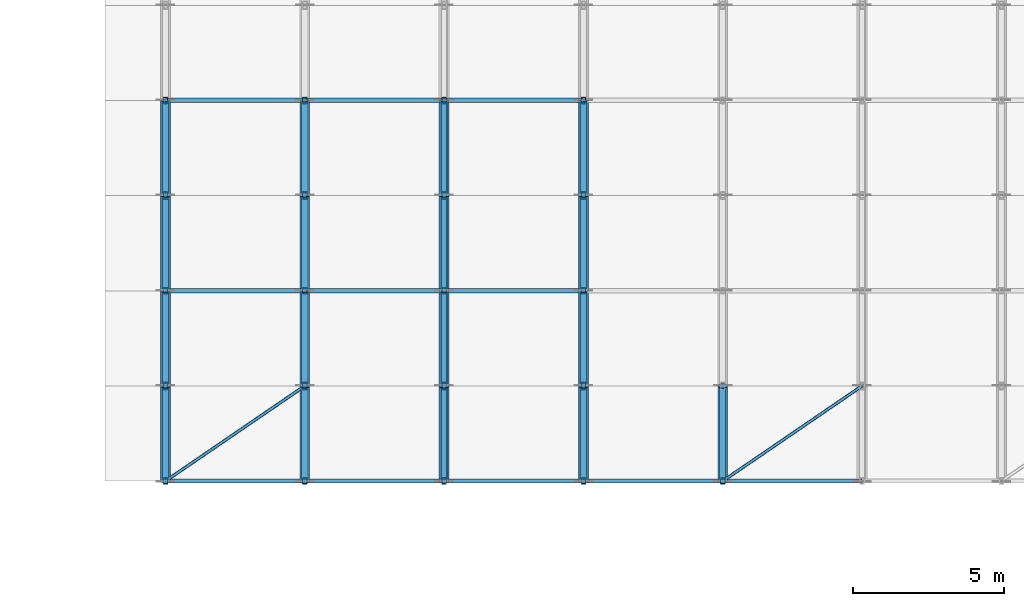
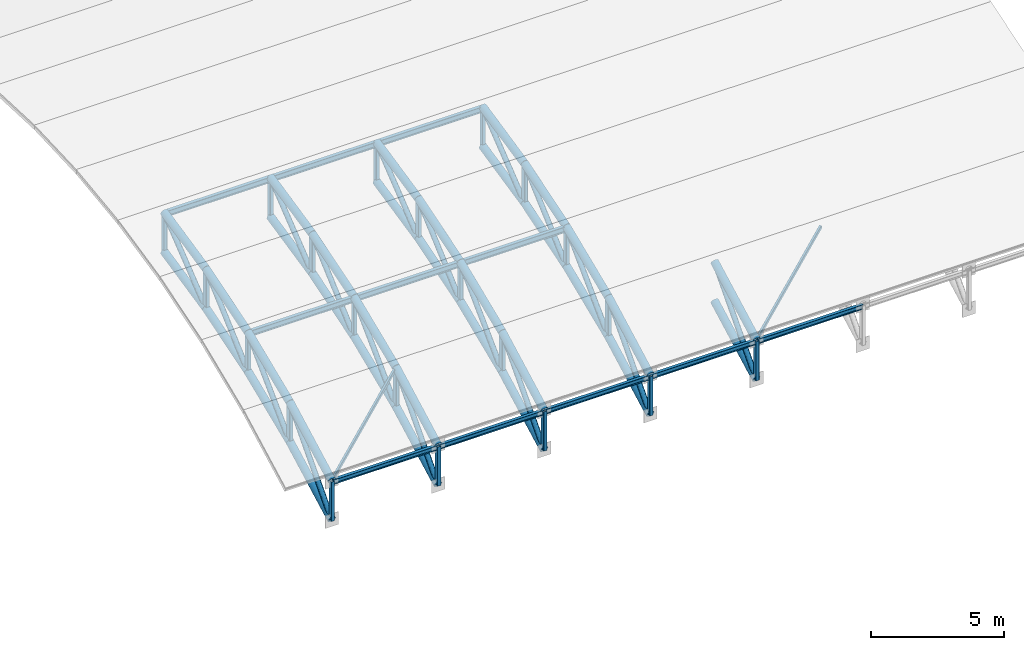
# One storey, part 39 of 98: 85 members.
"""IFC4 building model written with IfcOpenShell, lengths in metres."""

from ifc_helpers import new_model, si_unit, direction, frame, origin, origin_2d, place, context, subcontext, project, spatial, hollow_rectangle, hollow_circle, i_section, extrude, material, material_profile, profile_set, type_object, element, save


model = new_model("IFC4")

# Units and contexts
model_context = context("Model", 3, precision=1e-05, world=origin(), true_north=direction((0.0, 1.0)))
body_context = subcontext(model_context, "Body", "Model", "MODEL_VIEW")
ifc_project = project(units=[si_unit("LENGTHUNIT", "METRE"), si_unit("AREAUNIT", "SQUARE_METRE"), si_unit("VOLUMEUNIT", "CUBIC_METRE"), si_unit("PLANEANGLEUNIT", "RADIAN"), si_unit("MASSUNIT", "GRAM", prefix="KILO")], contexts=[model_context])

# Site, building, storey
site_placement = place(None, origin())
site = spatial("IfcSite", under=ifc_project, at=site_placement, CompositionType="ELEMENT")
building_placement = place(site_placement, origin())
building = spatial("IfcBuilding", under=site, at=building_placement, Name="Tlacozan Convention Centre", CompositionType="ELEMENT")
storey_placement = place(building_placement, frame((0.0, 0.0, 25.800048828125)))
storey = spatial("IfcBuildingStorey", under=building, at=storey_placement, Name="Roof", CompositionType="ELEMENT", Elevation=25.800048828125)

# Members
ifc_material_1 = material(Name="Steel ASTM A992 Grade 50", Category="steel")
ifc_material_profile_1 = material_profile(ifc_material_1, i_section(OverallWidth=0.14697265625, OverallDepth=0.261962890625, WebThickness=0.006591796875, FlangeThickness=0.01123046875, FilletRadius=0.008056640625, at=origin_2d()), Name="IR 254x38.5")
ifc_profile_set_1 = profile_set([ifc_material_profile_1], Name="Steel ASTM A992 Grade 50")
member_type_1 = type_object("IfcMemberType", Name="Plenary Acoustic Purlin IR 254x38.5", PredefinedType="PURLIN", material=ifc_profile_set_1)
for number, where, z_axis, x_axis, name in (
    (1, (146.0, 24.783203125, -3.87939453125), (1.0, 0.0, 0.0), (0.0, 1.0, 0.0), "V3A Roof Truss Purlin 1.3"),
    (2, (146.0, 31.066650390625, -2.2060546875), (1.0, 0.0, 0.0), (0.0, 1.0, 0.0), "V3A Roof Truss Purlin 1.5"),
):
    element("IfcMember", number, at=place(storey_placement, frame(where, z_axis=z_axis, x_axis=x_axis)), inside=storey, type_object=member_type_1, Name=name, PredefinedType="PURLIN", context=body_context, shape_type="SweptSolid", body=[
        extrude(i_section(OverallWidth=0.14697265625, OverallDepth=0.261962890625, WebThickness=0.006591796875, FlangeThickness=0.01123046875, FilletRadius=0.008056640625, at=origin_2d()), origin(), (0.0, 0.0, 1.0), 4.60009765625),
    ])
for number, where, z_axis, x_axis, name in (
    (3, (150.60009765625, 24.783203125, -3.87939453125), (1.0, 0.0, 0.0), (0.0, 1.0, 0.0), "V3A Roof Truss Purlin 2.3"),
    (4, (150.60009765625, 31.066650390625, -2.2060546875), (1.0, 0.0, 0.0), (0.0, 1.0, 0.0), "V3A Roof Truss Purlin 2.5"),
):
    element("IfcMember", number, at=place(storey_placement, frame(where, z_axis=z_axis, x_axis=x_axis)), inside=storey, type_object=member_type_1, Name=name, PredefinedType="PURLIN", context=body_context, shape_type="SweptSolid", body=[
        extrude(i_section(OverallWidth=0.14697265625, OverallDepth=0.261962890625, WebThickness=0.006591796875, FlangeThickness=0.01123046875, FilletRadius=0.008056640625, at=origin_2d()), origin(), (0.0, 0.0, 1.0), 4.599853515625),
    ])
for number, where, z_axis, x_axis, name in (
    (5, (155.199951171875, 24.783203125, -3.87939453125), (1.0, 0.0, 0.0), (0.0, 1.0, 0.0), "V3A Roof Truss Purlin 3.3"),
    (6, (155.199951171875, 31.066650390625, -2.2060546875), (1.0, 0.0, 0.0), (0.0, 1.0, 0.0), "V3A Roof Truss Purlin 3.5"),
):
    element("IfcMember", number, at=place(storey_placement, frame(where, z_axis=z_axis, x_axis=x_axis)), inside=storey, type_object=member_type_1, Name=name, PredefinedType="PURLIN", context=body_context, shape_type="SweptSolid", body=[
        extrude(i_section(OverallWidth=0.14697265625, OverallDepth=0.261962890625, WebThickness=0.006591796875, FlangeThickness=0.01123046875, FilletRadius=0.008056640625, at=origin_2d()), origin(), (0.0, 0.0, 1.0), 4.60009765625),
    ])
ifc_material_2 = material(Name="Steel ASTM A500 Grade C", Category="steel")
ifc_material_profile_2 = material_profile(ifc_material_2, hollow_circle(Radius=0.161865234375, WallThickness=0.0126953125, at=origin_2d()), Name="OC 323.9x12.7")
ifc_profile_set_2 = profile_set([ifc_material_profile_2], Name="Steel ASTM A500 Grade C")
member_type_2 = type_object("IfcMemberType", Name="Plenary Arch Chord OC 323.9x12.7", PredefinedType="CHORD", material=ifc_profile_set_2)
for number, where, z_axis, x_axis, name in (
    (7, (146.0, 18.5, -6.800048828125), (0.0, 0.882379514235, 0.47053840742), (-1.0, 0.0, 0.0), "V3A Roof Truss 1 Top Chord 1"),
    (8, (146.0, 18.5, -8.60009765625), (0.0, 0.882379514235, 0.47053840742), (-1.0, 0.0, 0.0), "V3A Roof Truss 1 Bottom Chord 1"),
):
    element("IfcMember", number, at=place(storey_placement, frame(where, z_axis=z_axis, x_axis=x_axis)), inside=storey, type_object=member_type_2, Name=name, PredefinedType="CHORD", context=body_context, shape_type="SweptSolid", body=[
        extrude(hollow_circle(Radius=0.161865234375, WallThickness=0.0126953125, at=origin_2d()), origin(), (0.0, 0.0, 1.0), 3.560302734375),
    ])
for number, where, z_axis, x_axis, name in (
    (9, (146.0, 21.6416015625, -5.124755859375), (0.0, 0.922941057271, 0.384941300464), (-1.0, 0.0, 0.0), "V3A Roof Truss 1 Top Chord 2"),
    (10, (146.0, 21.6416015625, -6.9248046875), (0.0, 0.922941057271, 0.384941300464), (-1.0, 0.0, 0.0), "V3A Roof Truss 1 Bottom Chord 2"),
):
    element("IfcMember", number, at=place(storey_placement, frame(where, z_axis=z_axis, x_axis=x_axis)), inside=storey, type_object=member_type_2, Name=name, PredefinedType="CHORD", context=body_context, shape_type="SweptSolid", body=[
        extrude(hollow_circle(Radius=0.161865234375, WallThickness=0.0126953125, at=origin_2d()), origin(), (0.0, 0.0, 1.0), 3.40380859375),
    ])
for number, where, z_axis, x_axis, name in (
    (11, (146.0, 24.783203125, -3.814453125), (0.0, 0.954132369199, 0.299385073186), (-1.0, 0.0, 0.0), "V3A Roof Truss 1 Top Chord 3"),
    (12, (146.0, 24.783203125, -5.614501953125), (0.0, 0.954132369199, 0.299385073186), (-1.0, 0.0, 0.0), "V3A Roof Truss 1 Bottom Chord 3"),
):
    element("IfcMember", number, at=place(storey_placement, frame(where, z_axis=z_axis, x_axis=x_axis)), inside=storey, type_object=member_type_2, Name=name, PredefinedType="CHORD", context=body_context, shape_type="SweptSolid", body=[
        extrude(hollow_circle(Radius=0.161865234375, WallThickness=0.0126953125, at=origin_2d()), origin(), (0.0, 0.0, 1.0), 3.29296875),
    ])
for number, where, z_axis, x_axis, name in (
    (13, (146.0, 27.925048828125, -2.82861328125), (0.0, 0.976866328427, 0.213850827415), (-1.0, 0.0, 0.0), "V3A Roof Truss 1 Top Chord 4"),
    (14, (146.0, 27.925048828125, -4.628662109375), (0.0, 0.976866328427, 0.213850827415), (-1.0, 0.0, 0.0), "V3A Roof Truss 1 Bottom Chord 4"),
):
    element("IfcMember", number, at=place(storey_placement, frame(where, z_axis=z_axis, x_axis=x_axis)), inside=storey, type_object=member_type_2, Name=name, PredefinedType="CHORD", context=body_context, shape_type="SweptSolid", body=[
        extrude(hollow_circle(Radius=0.161865234375, WallThickness=0.0126953125, at=origin_2d()), origin(), (0.0, 0.0, 1.0), 3.216064453125),
    ])
for number, where, z_axis, x_axis, name in (
    (15, (150.60009765625, 18.5, -6.800048828125), (0.0, 0.882379514235, 0.47053840742), (-1.0, 0.0, 0.0), "V3A Roof Truss 2 Top Chord 1"),
    (16, (150.60009765625, 18.5, -8.60009765625), (0.0, 0.882379514235, 0.47053840742), (-1.0, 0.0, 0.0), "V3A Roof Truss 2 Bottom Chord 1"),
):
    element("IfcMember", number, at=place(storey_placement, frame(where, z_axis=z_axis, x_axis=x_axis)), inside=storey, type_object=member_type_2, Name=name, PredefinedType="CHORD", context=body_context, shape_type="SweptSolid", body=[
        extrude(hollow_circle(Radius=0.161865234375, WallThickness=0.0126953125, at=origin_2d()), origin(), (0.0, 0.0, 1.0), 3.560302734375),
    ])
for number, where, z_axis, x_axis, name in (
    (17, (150.60009765625, 21.6416015625, -5.124755859375), (0.0, 0.922941057271, 0.384941300464), (-1.0, 0.0, 0.0), "V3A Roof Truss 2 Top Chord 2"),
    (18, (150.60009765625, 21.6416015625, -6.9248046875), (0.0, 0.922941057271, 0.384941300464), (-1.0, 0.0, 0.0), "V3A Roof Truss 2 Bottom Chord 2"),
):
    element("IfcMember", number, at=place(storey_placement, frame(where, z_axis=z_axis, x_axis=x_axis)), inside=storey, type_object=member_type_2, Name=name, PredefinedType="CHORD", context=body_context, shape_type="SweptSolid", body=[
        extrude(hollow_circle(Radius=0.161865234375, WallThickness=0.0126953125, at=origin_2d()), origin(), (0.0, 0.0, 1.0), 3.40380859375),
    ])
for number, where, z_axis, x_axis, name in (
    (19, (150.60009765625, 24.783203125, -3.814453125), (0.0, 0.954132369199, 0.299385073186), (-1.0, 0.0, 0.0), "V3A Roof Truss 2 Top Chord 3"),
    (20, (150.60009765625, 24.783203125, -5.614501953125), (0.0, 0.954132369199, 0.299385073186), (-1.0, 0.0, 0.0), "V3A Roof Truss 2 Bottom Chord 3"),
):
    element("IfcMember", number, at=place(storey_placement, frame(where, z_axis=z_axis, x_axis=x_axis)), inside=storey, type_object=member_type_2, Name=name, PredefinedType="CHORD", context=body_context, shape_type="SweptSolid", body=[
        extrude(hollow_circle(Radius=0.161865234375, WallThickness=0.0126953125, at=origin_2d()), origin(), (0.0, 0.0, 1.0), 3.29296875),
    ])
for number, where, z_axis, x_axis, name in (
    (21, (150.60009765625, 27.925048828125, -2.82861328125), (0.0, 0.976866328427, 0.213850827415), (-1.0, 0.0, 0.0), "V3A Roof Truss 2 Top Chord 4"),
    (22, (150.60009765625, 27.925048828125, -4.628662109375), (0.0, 0.976866328427, 0.213850827415), (-1.0, 0.0, 0.0), "V3A Roof Truss 2 Bottom Chord 4"),
):
    element("IfcMember", number, at=place(storey_placement, frame(where, z_axis=z_axis, x_axis=x_axis)), inside=storey, type_object=member_type_2, Name=name, PredefinedType="CHORD", context=body_context, shape_type="SweptSolid", body=[
        extrude(hollow_circle(Radius=0.161865234375, WallThickness=0.0126953125, at=origin_2d()), origin(), (0.0, 0.0, 1.0), 3.216064453125),
    ])
for number, where, z_axis, x_axis, name in (
    (23, (155.199951171875, 18.5, -6.800048828125), (0.0, 0.882379514235, 0.47053840742), (-1.0, 0.0, 0.0), "V3A Roof Truss 3 Top Chord 1"),
    (24, (155.199951171875, 18.5, -8.60009765625), (0.0, 0.882379514235, 0.47053840742), (-1.0, 0.0, 0.0), "V3A Roof Truss 3 Bottom Chord 1"),
):
    element("IfcMember", number, at=place(storey_placement, frame(where, z_axis=z_axis, x_axis=x_axis)), inside=storey, type_object=member_type_2, Name=name, PredefinedType="CHORD", context=body_context, shape_type="SweptSolid", body=[
        extrude(hollow_circle(Radius=0.161865234375, WallThickness=0.0126953125, at=origin_2d()), origin(), (0.0, 0.0, 1.0), 3.560302734375),
    ])
for number, where, z_axis, x_axis, name in (
    (25, (155.199951171875, 21.6416015625, -5.124755859375), (0.0, 0.922941057271, 0.384941300464), (-1.0, 0.0, 0.0), "V3A Roof Truss 3 Top Chord 2"),
    (26, (155.199951171875, 21.6416015625, -6.9248046875), (0.0, 0.922941057271, 0.384941300464), (-1.0, 0.0, 0.0), "V3A Roof Truss 3 Bottom Chord 2"),
):
    element("IfcMember", number, at=place(storey_placement, frame(where, z_axis=z_axis, x_axis=x_axis)), inside=storey, type_object=member_type_2, Name=name, PredefinedType="CHORD", context=body_context, shape_type="SweptSolid", body=[
        extrude(hollow_circle(Radius=0.161865234375, WallThickness=0.0126953125, at=origin_2d()), origin(), (0.0, 0.0, 1.0), 3.40380859375),
    ])
for number, where, z_axis, x_axis, name in (
    (27, (155.199951171875, 24.783203125, -3.814453125), (0.0, 0.954132369199, 0.299385073186), (-1.0, 0.0, 0.0), "V3A Roof Truss 3 Top Chord 3"),
    (28, (155.199951171875, 24.783203125, -5.614501953125), (0.0, 0.954132369199, 0.299385073186), (-1.0, 0.0, 0.0), "V3A Roof Truss 3 Bottom Chord 3"),
):
    element("IfcMember", number, at=place(storey_placement, frame(where, z_axis=z_axis, x_axis=x_axis)), inside=storey, type_object=member_type_2, Name=name, PredefinedType="CHORD", context=body_context, shape_type="SweptSolid", body=[
        extrude(hollow_circle(Radius=0.161865234375, WallThickness=0.0126953125, at=origin_2d()), origin(), (0.0, 0.0, 1.0), 3.29296875),
    ])
for number, where, z_axis, x_axis, name in (
    (29, (155.199951171875, 27.925048828125, -2.82861328125), (0.0, 0.976866328427, 0.213850827415), (-1.0, 0.0, 0.0), "V3A Roof Truss 3 Top Chord 4"),
    (30, (155.199951171875, 27.925048828125, -4.628662109375), (0.0, 0.976866328427, 0.213850827415), (-1.0, 0.0, 0.0), "V3A Roof Truss 3 Bottom Chord 4"),
):
    element("IfcMember", number, at=place(storey_placement, frame(where, z_axis=z_axis, x_axis=x_axis)), inside=storey, type_object=member_type_2, Name=name, PredefinedType="CHORD", context=body_context, shape_type="SweptSolid", body=[
        extrude(hollow_circle(Radius=0.161865234375, WallThickness=0.0126953125, at=origin_2d()), origin(), (0.0, 0.0, 1.0), 3.216064453125),
    ])
for number, where, z_axis, x_axis, name in (
    (31, (159.800048828125, 18.5, -6.800048828125), (0.0, 0.882379514235, 0.47053840742), (-1.0, 0.0, 0.0), "V3A Roof Truss 4 Top Chord 1"),
    (32, (159.800048828125, 18.5, -8.60009765625), (0.0, 0.882379514235, 0.47053840742), (-1.0, 0.0, 0.0), "V3A Roof Truss 4 Bottom Chord 1"),
):
    element("IfcMember", number, at=place(storey_placement, frame(where, z_axis=z_axis, x_axis=x_axis)), inside=storey, type_object=member_type_2, Name=name, PredefinedType="CHORD", context=body_context, shape_type="SweptSolid", body=[
        extrude(hollow_circle(Radius=0.161865234375, WallThickness=0.0126953125, at=origin_2d()), origin(), (0.0, 0.0, 1.0), 3.560302734375),
    ])
for number, where, z_axis, x_axis, name in (
    (33, (159.800048828125, 21.6416015625, -5.124755859375), (0.0, 0.922941057271, 0.384941300464), (-1.0, 0.0, 0.0), "V3A Roof Truss 4 Top Chord 2"),
    (34, (159.800048828125, 21.6416015625, -6.9248046875), (0.0, 0.922941057271, 0.384941300464), (-1.0, 0.0, 0.0), "V3A Roof Truss 4 Bottom Chord 2"),
):
    element("IfcMember", number, at=place(storey_placement, frame(where, z_axis=z_axis, x_axis=x_axis)), inside=storey, type_object=member_type_2, Name=name, PredefinedType="CHORD", context=body_context, shape_type="SweptSolid", body=[
        extrude(hollow_circle(Radius=0.161865234375, WallThickness=0.0126953125, at=origin_2d()), origin(), (0.0, 0.0, 1.0), 3.40380859375),
    ])
for number, where, z_axis, x_axis, name in (
    (35, (159.800048828125, 24.783203125, -3.814453125), (0.0, 0.954132369199, 0.299385073186), (-1.0, 0.0, 0.0), "V3A Roof Truss 4 Top Chord 3"),
    (36, (159.800048828125, 24.783203125, -5.614501953125), (0.0, 0.954132369199, 0.299385073186), (-1.0, 0.0, 0.0), "V3A Roof Truss 4 Bottom Chord 3"),
):
    element("IfcMember", number, at=place(storey_placement, frame(where, z_axis=z_axis, x_axis=x_axis)), inside=storey, type_object=member_type_2, Name=name, PredefinedType="CHORD", context=body_context, shape_type="SweptSolid", body=[
        extrude(hollow_circle(Radius=0.161865234375, WallThickness=0.0126953125, at=origin_2d()), origin(), (0.0, 0.0, 1.0), 3.29296875),
    ])
for number, where, z_axis, x_axis, name in (
    (37, (159.800048828125, 27.925048828125, -2.82861328125), (0.0, 0.976866328427, 0.213850827415), (-1.0, 0.0, 0.0), "V3A Roof Truss 4 Top Chord 4"),
    (38, (159.800048828125, 27.925048828125, -4.628662109375), (0.0, 0.976866328427, 0.213850827415), (-1.0, 0.0, 0.0), "V3A Roof Truss 4 Bottom Chord 4"),
):
    element("IfcMember", number, at=place(storey_placement, frame(where, z_axis=z_axis, x_axis=x_axis)), inside=storey, type_object=member_type_2, Name=name, PredefinedType="CHORD", context=body_context, shape_type="SweptSolid", body=[
        extrude(hollow_circle(Radius=0.161865234375, WallThickness=0.0126953125, at=origin_2d()), origin(), (0.0, 0.0, 1.0), 3.216064453125),
    ])
for number, where, z_axis, x_axis, name in (
    (39, (164.39990234375, 18.5, -6.800048828125), (0.0, 0.882379514235, 0.47053840742), (-1.0, 0.0, 0.0), "V3A Roof Truss 5 Top Chord 1"),
    (40, (164.39990234375, 18.5, -8.60009765625), (0.0, 0.882379514235, 0.47053840742), (-1.0, 0.0, 0.0), "V3A Roof Truss 5 Bottom Chord 1"),
):
    element("IfcMember", number, at=place(storey_placement, frame(where, z_axis=z_axis, x_axis=x_axis)), inside=storey, type_object=member_type_2, Name=name, PredefinedType="CHORD", context=body_context, shape_type="SweptSolid", body=[
        extrude(hollow_circle(Radius=0.161865234375, WallThickness=0.0126953125, at=origin_2d()), origin(), (0.0, 0.0, 1.0), 3.560302734375),
    ])
ifc_material_profile_3 = material_profile(ifc_material_2, hollow_circle(Radius=0.109619140625, WallThickness=0.009521484375, at=origin_2d()), Name="OC 219.1x9.5")
ifc_profile_set_3 = profile_set([ifc_material_profile_3], Name="Steel ASTM A500 Grade C")
member_type_3 = type_object("IfcMemberType", Name="Plenary Web Diagonal OC 219.1x9.5", PredefinedType="BRACE", material=ifc_profile_set_3)
member_1_placement = place(storey_placement, frame((146.0, 18.5, -8.60009765625), z_axis=(0.0, 0.67058986077, 0.741828308056), x_axis=(-1.0, 0.0, 0.0)))
element("IfcMember", 41, at=member_1_placement, inside=storey, type_object=member_type_3, Name="V3A Roof Truss 1 Web Diagonal 1", PredefinedType="BRACE", context=body_context, shape_type="SweptSolid", body=[
    extrude(hollow_circle(Radius=0.109619140625, WallThickness=0.009521484375, at=origin_2d()), origin(), (0.0, 0.0, 1.0), 4.684814453125),
])
member_2_placement = place(storey_placement, frame((146.0, 21.6416015625, -6.9248046875), z_axis=(0.0, 0.710632333284, 0.703563562794), x_axis=(-1.0, 0.0, 0.0)))
element("IfcMember", 42, at=member_2_placement, inside=storey, type_object=member_type_3, Name="V3A Roof Truss 1 Web Diagonal 2", PredefinedType="BRACE", context=body_context, shape_type="SweptSolid", body=[
    extrude(hollow_circle(Radius=0.109619140625, WallThickness=0.009521484375, at=origin_2d()), origin(), (0.0, 0.0, 1.0), 4.4208984375),
])
member_3_placement = place(storey_placement, frame((146.0, 24.783203125, -5.614501953125), z_axis=(0.0, 0.748220333314, 0.663450324302), x_axis=(-1.0, 0.0, 0.0)))
element("IfcMember", 43, at=member_3_placement, inside=storey, type_object=member_type_3, Name="V3A Roof Truss 1 Web Diagonal 3", PredefinedType="BRACE", context=body_context, shape_type="SweptSolid", body=[
    extrude(hollow_circle(Radius=0.109619140625, WallThickness=0.009521484375, at=origin_2d()), origin(), (0.0, 0.0, 1.0), 4.198974609375),
])
member_4_placement = place(storey_placement, frame((146.0, 27.925048828125, -4.628662109375), z_axis=(0.0, 0.783961811964, 0.620809050661), x_axis=(-1.0, 0.0, 0.0)))
element("IfcMember", 44, at=member_4_placement, inside=storey, type_object=member_type_3, Name="V3A Roof Truss 1 Web Diagonal 4", PredefinedType="BRACE", context=body_context, shape_type="SweptSolid", body=[
    extrude(hollow_circle(Radius=0.109619140625, WallThickness=0.009521484375, at=origin_2d()), origin(), (0.0, 0.0, 1.0), 4.00732421875),
])
member_5_placement = place(storey_placement, frame((150.60009765625, 18.5, -8.60009765625), z_axis=(0.0, 0.67058986077, 0.741828308056), x_axis=(-1.0, 0.0, 0.0)))
element("IfcMember", 45, at=member_5_placement, inside=storey, type_object=member_type_3, Name="V3A Roof Truss 2 Web Diagonal 1", PredefinedType="BRACE", context=body_context, shape_type="SweptSolid", body=[
    extrude(hollow_circle(Radius=0.109619140625, WallThickness=0.009521484375, at=origin_2d()), origin(), (0.0, 0.0, 1.0), 4.684814453125),
])
member_6_placement = place(storey_placement, frame((150.60009765625, 21.6416015625, -6.9248046875), z_axis=(0.0, 0.710632333284, 0.703563562794), x_axis=(-1.0, 0.0, 0.0)))
element("IfcMember", 46, at=member_6_placement, inside=storey, type_object=member_type_3, Name="V3A Roof Truss 2 Web Diagonal 2", PredefinedType="BRACE", context=body_context, shape_type="SweptSolid", body=[
    extrude(hollow_circle(Radius=0.109619140625, WallThickness=0.009521484375, at=origin_2d()), origin(), (0.0, 0.0, 1.0), 4.4208984375),
])
member_7_placement = place(storey_placement, frame((150.60009765625, 24.783203125, -5.614501953125), z_axis=(0.0, 0.748220333314, 0.663450324302), x_axis=(-1.0, 0.0, 0.0)))
element("IfcMember", 47, at=member_7_placement, inside=storey, type_object=member_type_3, Name="V3A Roof Truss 2 Web Diagonal 3", PredefinedType="BRACE", context=body_context, shape_type="SweptSolid", body=[
    extrude(hollow_circle(Radius=0.109619140625, WallThickness=0.009521484375, at=origin_2d()), origin(), (0.0, 0.0, 1.0), 4.198974609375),
])
member_8_placement = place(storey_placement, frame((150.60009765625, 27.925048828125, -4.628662109375), z_axis=(0.0, 0.783961811964, 0.620809050661), x_axis=(-1.0, 0.0, 0.0)))
element("IfcMember", 48, at=member_8_placement, inside=storey, type_object=member_type_3, Name="V3A Roof Truss 2 Web Diagonal 4", PredefinedType="BRACE", context=body_context, shape_type="SweptSolid", body=[
    extrude(hollow_circle(Radius=0.109619140625, WallThickness=0.009521484375, at=origin_2d()), origin(), (0.0, 0.0, 1.0), 4.00732421875),
])
member_9_placement = place(storey_placement, frame((155.199951171875, 18.5, -8.60009765625), z_axis=(0.0, 0.67058986077, 0.741828308056), x_axis=(-1.0, 0.0, 0.0)))
element("IfcMember", 49, at=member_9_placement, inside=storey, type_object=member_type_3, Name="V3A Roof Truss 3 Web Diagonal 1", PredefinedType="BRACE", context=body_context, shape_type="SweptSolid", body=[
    extrude(hollow_circle(Radius=0.109619140625, WallThickness=0.009521484375, at=origin_2d()), origin(), (0.0, 0.0, 1.0), 4.684814453125),
])
member_10_placement = place(storey_placement, frame((155.199951171875, 21.6416015625, -6.9248046875), z_axis=(0.0, 0.710632333284, 0.703563562794), x_axis=(-1.0, 0.0, 0.0)))
element("IfcMember", 50, at=member_10_placement, inside=storey, type_object=member_type_3, Name="V3A Roof Truss 3 Web Diagonal 2", PredefinedType="BRACE", context=body_context, shape_type="SweptSolid", body=[
    extrude(hollow_circle(Radius=0.109619140625, WallThickness=0.009521484375, at=origin_2d()), origin(), (0.0, 0.0, 1.0), 4.4208984375),
])
member_11_placement = place(storey_placement, frame((155.199951171875, 24.783203125, -5.614501953125), z_axis=(0.0, 0.748220333314, 0.663450324302), x_axis=(-1.0, 0.0, 0.0)))
element("IfcMember", 51, at=member_11_placement, inside=storey, type_object=member_type_3, Name="V3A Roof Truss 3 Web Diagonal 3", PredefinedType="BRACE", context=body_context, shape_type="SweptSolid", body=[
    extrude(hollow_circle(Radius=0.109619140625, WallThickness=0.009521484375, at=origin_2d()), origin(), (0.0, 0.0, 1.0), 4.198974609375),
])
member_12_placement = place(storey_placement, frame((155.199951171875, 27.925048828125, -4.628662109375), z_axis=(0.0, 0.783961811964, 0.620809050661), x_axis=(-1.0, 0.0, 0.0)))
element("IfcMember", 52, at=member_12_placement, inside=storey, type_object=member_type_3, Name="V3A Roof Truss 3 Web Diagonal 4", PredefinedType="BRACE", context=body_context, shape_type="SweptSolid", body=[
    extrude(hollow_circle(Radius=0.109619140625, WallThickness=0.009521484375, at=origin_2d()), origin(), (0.0, 0.0, 1.0), 4.00732421875),
])
member_13_placement = place(storey_placement, frame((159.800048828125, 18.5, -8.60009765625), z_axis=(0.0, 0.67058986077, 0.741828308056), x_axis=(-1.0, 0.0, 0.0)))
element("IfcMember", 53, at=member_13_placement, inside=storey, type_object=member_type_3, Name="V3A Roof Truss 4 Web Diagonal 1", PredefinedType="BRACE", context=body_context, shape_type="SweptSolid", body=[
    extrude(hollow_circle(Radius=0.109619140625, WallThickness=0.009521484375, at=origin_2d()), origin(), (0.0, 0.0, 1.0), 4.684814453125),
])
member_14_placement = place(storey_placement, frame((159.800048828125, 21.6416015625, -6.9248046875), z_axis=(0.0, 0.710632333284, 0.703563562794), x_axis=(-1.0, 0.0, 0.0)))
element("IfcMember", 54, at=member_14_placement, inside=storey, type_object=member_type_3, Name="V3A Roof Truss 4 Web Diagonal 2", PredefinedType="BRACE", context=body_context, shape_type="SweptSolid", body=[
    extrude(hollow_circle(Radius=0.109619140625, WallThickness=0.009521484375, at=origin_2d()), origin(), (0.0, 0.0, 1.0), 4.4208984375),
])
member_15_placement = place(storey_placement, frame((159.800048828125, 24.783203125, -5.614501953125), z_axis=(0.0, 0.748220333314, 0.663450324302), x_axis=(-1.0, 0.0, 0.0)))
element("IfcMember", 55, at=member_15_placement, inside=storey, type_object=member_type_3, Name="V3A Roof Truss 4 Web Diagonal 3", PredefinedType="BRACE", context=body_context, shape_type="SweptSolid", body=[
    extrude(hollow_circle(Radius=0.109619140625, WallThickness=0.009521484375, at=origin_2d()), origin(), (0.0, 0.0, 1.0), 4.198974609375),
])
member_16_placement = place(storey_placement, frame((159.800048828125, 27.925048828125, -4.628662109375), z_axis=(0.0, 0.783961811964, 0.620809050661), x_axis=(-1.0, 0.0, 0.0)))
element("IfcMember", 56, at=member_16_placement, inside=storey, type_object=member_type_3, Name="V3A Roof Truss 4 Web Diagonal 4", PredefinedType="BRACE", context=body_context, shape_type="SweptSolid", body=[
    extrude(hollow_circle(Radius=0.109619140625, WallThickness=0.009521484375, at=origin_2d()), origin(), (0.0, 0.0, 1.0), 4.00732421875),
])
member_17_placement = place(storey_placement, frame((164.39990234375, 18.5, -8.60009765625), z_axis=(0.0, 0.67058986077, 0.741828308056), x_axis=(-1.0, 0.0, 0.0)))
element("IfcMember", 57, at=member_17_placement, inside=storey, type_object=member_type_3, Name="V3A Roof Truss 5 Web Diagonal 1", PredefinedType="BRACE", context=body_context, shape_type="SweptSolid", body=[
    extrude(hollow_circle(Radius=0.109619140625, WallThickness=0.009521484375, at=origin_2d()), origin(), (0.0, 0.0, 1.0), 4.684814453125),
])
ifc_material_profile_4 = material_profile(ifc_material_2, hollow_rectangle(XDim=0.15234375, YDim=0.203125, WallThickness=0.009521484375, InnerFilletRadius=0.009521484375, OuterFilletRadius=0.01904296875, at=origin_2d()), Name="OR 203x152x9.5")
ifc_profile_set_4 = profile_set([ifc_material_profile_4], Name="Steel ASTM A500 Grade C")
member_type_4 = type_object("IfcMemberType", Name="Plenary Web Strut OR 203x152x9.5", PredefinedType="STRUT", material=ifc_profile_set_4)
for number, where, z_axis, x_axis, name in (
    (58, (146.0, 18.5, -8.60009765625), (0.0, 0.0, 1.0), (1.0, 0.0, 0.0), "V3A Roof Truss 1 Vertical Strut 1"),
    (59, (146.0, 24.783203125, -5.614501953125), (0.0, 0.0, 1.0), (1.0, 0.0, 0.0), "V3A Roof Truss 1 Vertical Strut 3"),
    (60, (146.0, 31.066650390625, -3.94091796875), (0.0, 0.0, 1.0), (1.0, 0.0, 0.0), "V3A Roof Truss 1 Vertical Strut 5"),
    (61, (150.60009765625, 18.5, -8.60009765625), (0.0, 0.0, 1.0), (1.0, 0.0, 0.0), "V3A Roof Truss 2 Vertical Strut 1"),
    (62, (150.60009765625, 24.783203125, -5.614501953125), (0.0, 0.0, 1.0), (1.0, 0.0, 0.0), "V3A Roof Truss 2 Vertical Strut 3"),
    (63, (150.60009765625, 31.066650390625, -3.94091796875), (0.0, 0.0, 1.0), (1.0, 0.0, 0.0), "V3A Roof Truss 2 Vertical Strut 5"),
    (64, (155.199951171875, 18.5, -8.60009765625), (0.0, 0.0, 1.0), (1.0, 0.0, 0.0), "V3A Roof Truss 3 Vertical Strut 1"),
    (65, (155.199951171875, 24.783203125, -5.614501953125), (0.0, 0.0, 1.0), (1.0, 0.0, 0.0), "V3A Roof Truss 3 Vertical Strut 3"),
    (66, (155.199951171875, 31.066650390625, -3.94091796875), (0.0, 0.0, 1.0), (1.0, 0.0, 0.0), "V3A Roof Truss 3 Vertical Strut 5"),
    (67, (159.800048828125, 18.5, -8.60009765625), (0.0, 0.0, 1.0), (1.0, 0.0, 0.0), "V3A Roof Truss 4 Vertical Strut 1"),
    (68, (159.800048828125, 24.783203125, -5.614501953125), (0.0, 0.0, 1.0), (1.0, 0.0, 0.0), "V3A Roof Truss 4 Vertical Strut 3"),
    (69, (159.800048828125, 31.066650390625, -3.94091796875), (0.0, 0.0, 1.0), (1.0, 0.0, 0.0), "V3A Roof Truss 4 Vertical Strut 5"),
    (70, (164.39990234375, 18.5, -8.60009765625), (0.0, 0.0, 1.0), (1.0, 0.0, 0.0), "V3A Roof Truss 5 Vertical Strut 1"),
):
    element("IfcMember", number, at=place(storey_placement, frame(where, z_axis=z_axis, x_axis=x_axis)), inside=storey, type_object=member_type_4, Name=name, PredefinedType="STRUT", context=body_context, shape_type="SweptSolid", body=[
        extrude(hollow_rectangle(XDim=0.15234375, YDim=0.203125, WallThickness=0.009521484375, InnerFilletRadius=0.009521484375, OuterFilletRadius=0.01904296875, at=origin_2d()), origin(), (0.0, 0.0, 1.0), 1.800048828125),
    ])
ifc_material_profile_5 = material_profile(ifc_material_2, hollow_rectangle(XDim=0.1015625, YDim=0.15234375, WallThickness=0.009521484375, InnerFilletRadius=0.009521484375, OuterFilletRadius=0.01904296875, at=origin_2d()), Name="OR 152x102x9.5")
ifc_profile_set_5 = profile_set([ifc_material_profile_5], Name="Steel ASTM A500 Grade C")
member_type_5 = type_object("IfcMemberType", Name="Roof Plan Brace OR 152x102x9.5", PredefinedType="BRACE", material=ifc_profile_set_5)
for number, where, z_axis, x_axis, name in (
    (71, (146.0, 18.5, -6.800048828125), (0.790806198317, 0.540075053601, 0.288000856218), (-0.563970393817, 0.825795007794, 0.0), "V3A Roof Truss Plan Brace 1.1"),
    (72, (164.39990234375, 18.5, -6.800048828125), (0.790806198317, 0.540075053601, 0.288000856218), (-0.563970393817, 0.825795007794, 0.0), "V3A Roof Truss Plan Brace 5.1"),
):
    element("IfcMember", number, at=place(storey_placement, frame(where, z_axis=z_axis, x_axis=x_axis)), inside=storey, type_object=member_type_5, Name=name, PredefinedType="BRACE", context=body_context, shape_type="SweptSolid", body=[
        extrude(hollow_rectangle(XDim=0.1015625, YDim=0.15234375, WallThickness=0.009521484375, InnerFilletRadius=0.009521484375, OuterFilletRadius=0.01904296875, at=origin_2d()), origin(), (0.0, 0.0, 1.0), 5.81689453125),
    ])
ifc_material_profile_6 = material_profile(ifc_material_1, i_section(OverallWidth=0.134033203125, OverallDepth=0.2099609375, WebThickness=0.00634765625, FlangeThickness=0.01025390625, FilletRadius=0.008056640625, at=origin_2d()), Name="IR 203x31.3")
ifc_profile_set_6 = profile_set([ifc_material_profile_6], Name="Steel ASTM A992 Grade 50")
member_type_6 = type_object("IfcMemberType", Name="Secondary Eave Purlin IR 203x31.3", PredefinedType="PURLIN", material=ifc_profile_set_6)
member_18_placement = place(storey_placement, frame((146.0, 18.5, -6.864990234375), z_axis=(1.0, 0.0, 0.0), x_axis=(0.0, 1.0, 0.0)))
element("IfcMember", 73, at=member_18_placement, inside=storey, type_object=member_type_6, Name="V3A Roof Truss Purlin 1.1", PredefinedType="PURLIN", context=body_context, shape_type="SweptSolid", body=[
    extrude(i_section(OverallWidth=0.134033203125, OverallDepth=0.2099609375, WebThickness=0.00634765625, FlangeThickness=0.01025390625, FilletRadius=0.008056640625, at=origin_2d()), origin(), (0.0, 0.0, 1.0), 4.60009765625),
])
member_19_placement = place(storey_placement, frame((150.60009765625, 18.5, -6.864990234375), z_axis=(1.0, 0.0, 0.0), x_axis=(0.0, 1.0, 0.0)))
element("IfcMember", 74, at=member_19_placement, inside=storey, type_object=member_type_6, Name="V3A Roof Truss Purlin 2.1", PredefinedType="PURLIN", context=body_context, shape_type="SweptSolid", body=[
    extrude(i_section(OverallWidth=0.134033203125, OverallDepth=0.2099609375, WebThickness=0.00634765625, FlangeThickness=0.01025390625, FilletRadius=0.008056640625, at=origin_2d()), origin(), (0.0, 0.0, 1.0), 4.599853515625),
])
member_20_placement = place(storey_placement, frame((155.199951171875, 18.5, -6.864990234375), z_axis=(1.0, 0.0, 0.0), x_axis=(0.0, 1.0, 0.0)))
element("IfcMember", 75, at=member_20_placement, inside=storey, type_object=member_type_6, Name="V3A Roof Truss Purlin 3.1", PredefinedType="PURLIN", context=body_context, shape_type="SweptSolid", body=[
    extrude(i_section(OverallWidth=0.134033203125, OverallDepth=0.2099609375, WebThickness=0.00634765625, FlangeThickness=0.01025390625, FilletRadius=0.008056640625, at=origin_2d()), origin(), (0.0, 0.0, 1.0), 4.60009765625),
])
member_21_placement = place(storey_placement, frame((159.800048828125, 18.5, -6.864990234375), z_axis=(1.0, 0.0, 0.0), x_axis=(0.0, 1.0, 0.0)))
element("IfcMember", 76, at=member_21_placement, inside=storey, type_object=member_type_6, Name="V3A Roof Truss Purlin 4.1", PredefinedType="PURLIN", context=body_context, shape_type="SweptSolid", body=[
    extrude(i_section(OverallWidth=0.134033203125, OverallDepth=0.2099609375, WebThickness=0.00634765625, FlangeThickness=0.01025390625, FilletRadius=0.008056640625, at=origin_2d()), origin(), (0.0, 0.0, 1.0), 4.599853515625),
])
member_22_placement = place(storey_placement, frame((164.39990234375, 18.5, -6.864990234375), z_axis=(1.0, 0.0, 0.0), x_axis=(0.0, 1.0, 0.0)))
element("IfcMember", 77, at=member_22_placement, inside=storey, type_object=member_type_6, Name="V3A Roof Truss Purlin 5.1", PredefinedType="PURLIN", context=body_context, shape_type="SweptSolid", body=[
    extrude(i_section(OverallWidth=0.134033203125, OverallDepth=0.2099609375, WebThickness=0.00634765625, FlangeThickness=0.01025390625, FilletRadius=0.008056640625, at=origin_2d()), origin(), (0.0, 0.0, 1.0), 4.60009765625),
])
ifc_material_profile_7 = material_profile(ifc_material_2, hollow_rectangle(XDim=0.15234375, YDim=0.25390625, WallThickness=0.0126953125, InnerFilletRadius=0.0126953125, OuterFilletRadius=0.02490234375, at=origin_2d()), Name="OR 254x152x12.7")
ifc_profile_set_7 = profile_set([ifc_material_profile_7], Name="Steel ASTM A500 Grade C")
member_type_7 = type_object("IfcMemberType", Name="Truss Secondary Strut OR 254x152x12.7", PredefinedType="STRUT", material=ifc_profile_set_7)
for number, where, z_axis, x_axis, name in (
    (78, (146.0, 21.6416015625, -6.9248046875), (0.0, 0.0, 1.0), (1.0, 0.0, 0.0), "V3A Roof Truss 1 Vertical Strut 2"),
    (79, (146.0, 27.925048828125, -4.628662109375), (0.0, 0.0, 1.0), (1.0, 0.0, 0.0), "V3A Roof Truss 1 Vertical Strut 4"),
    (80, (150.60009765625, 21.6416015625, -6.9248046875), (0.0, 0.0, 1.0), (1.0, 0.0, 0.0), "V3A Roof Truss 2 Vertical Strut 2"),
    (81, (150.60009765625, 27.925048828125, -4.628662109375), (0.0, 0.0, 1.0), (1.0, 0.0, 0.0), "V3A Roof Truss 2 Vertical Strut 4"),
    (82, (155.199951171875, 21.6416015625, -6.9248046875), (0.0, 0.0, 1.0), (1.0, 0.0, 0.0), "V3A Roof Truss 3 Vertical Strut 2"),
    (83, (155.199951171875, 27.925048828125, -4.628662109375), (0.0, 0.0, 1.0), (1.0, 0.0, 0.0), "V3A Roof Truss 3 Vertical Strut 4"),
    (84, (159.800048828125, 21.6416015625, -6.9248046875), (0.0, 0.0, 1.0), (1.0, 0.0, 0.0), "V3A Roof Truss 4 Vertical Strut 2"),
    (85, (159.800048828125, 27.925048828125, -4.628662109375), (0.0, 0.0, 1.0), (1.0, 0.0, 0.0), "V3A Roof Truss 4 Vertical Strut 4"),
):
    element("IfcMember", number, at=place(storey_placement, frame(where, z_axis=z_axis, x_axis=x_axis)), inside=storey, type_object=member_type_7, Name=name, PredefinedType="STRUT", context=body_context, shape_type="SweptSolid", body=[
        extrude(hollow_rectangle(XDim=0.15234375, YDim=0.25390625, WallThickness=0.0126953125, InnerFilletRadius=0.0126953125, OuterFilletRadius=0.02490234375, at=origin_2d()), origin(), (0.0, 0.0, 1.0), 1.800048828125),
    ])

save(model, "model.ifc")
